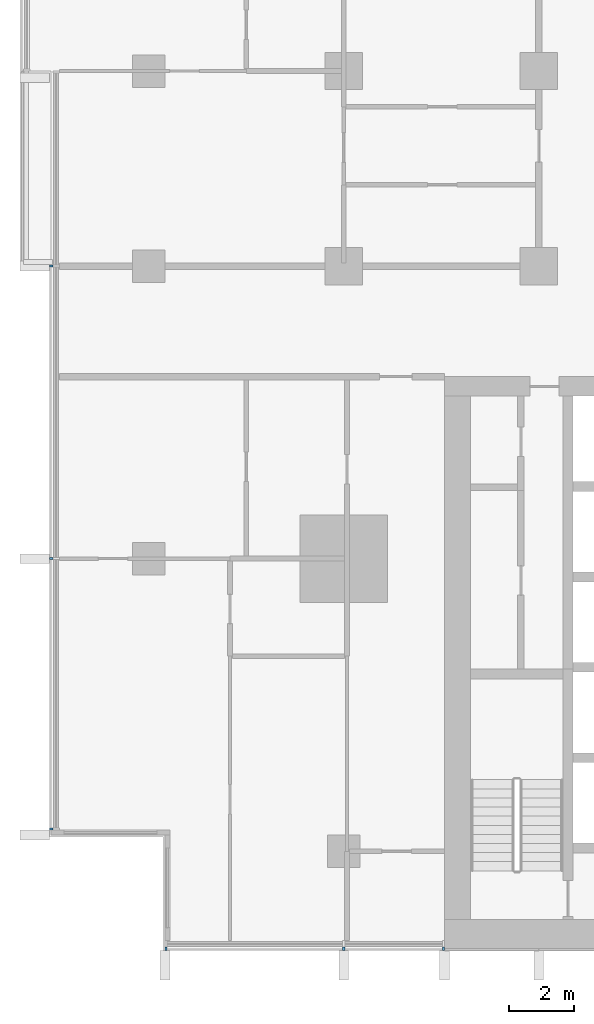
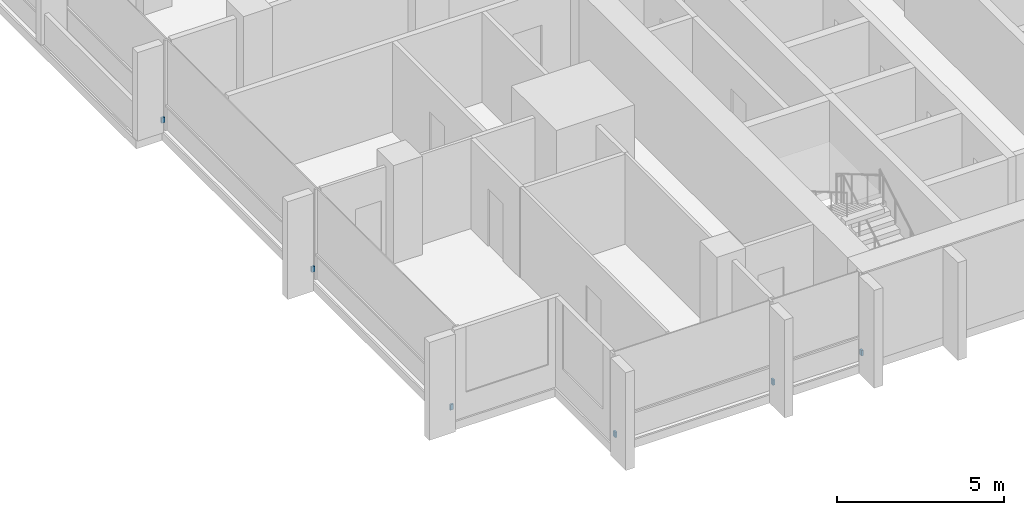
# One storey, part 14 of 18: 6 discrete accessories.
"""IFC4 building model written with IfcOpenShell, lengths in metres."""

import ifcopenshell
import ifcopenshell.guid

model = None  # the IFC model being written
_history = None  # IfcOwnerHistory: only IFC2X3 demands one
_inside = {}  # id of a spatial element -> (the spatial element, [elements in it])
_under = {}  # id of a project, library or spatial element -> (it, [spatial elements below it])
_declared = {}  # id of a project -> (the project, [libraries it declares])
_typed = {}  # id of a type object -> (the type object, [elements of that type])
_made_of = {}  # id of a material, layer set ... -> (it, [elements and type objects made of it])


def new_model(schema):
    """Start an empty IFC model of exactly this schema.

    Asked for "IFC4X3", IfcOpenShell would pick the latest addendum, in which some entities
    have other attributes; the version numbers below select the first issue.
    IFC2X3 requires an IfcOwnerHistory on every rooted entity: one is made here for all.
    """
    global model, _history
    if schema == "IFC4X3":
        model = ifcopenshell.file(schema_version=(4, 3, 0, 0))
    else:
        model = ifcopenshell.file(schema=schema)
    _inside.clear()
    _under.clear()
    _declared.clear()
    _typed.clear()
    _made_of.clear()
    _history = None
    if model.schema == "IFC2X3":
        org = make("IfcOrganization", Name="unknown")
        user = make(
            "IfcPersonAndOrganization",
            ThePerson=make("IfcPerson", FamilyName="unknown"),
            TheOrganization=org,
        )
        app = make(
            "IfcApplication",
            ApplicationDeveloper=org,
            Version="unknown",
            ApplicationFullName="unknown",
            ApplicationIdentifier="unknown",
        )
        _history = make(
            "IfcOwnerHistory",
            OwningUser=user,
            OwningApplication=app,
            ChangeAction="ADDED",
            CreationDate=0,
        )
    return model


def make(cls, **values):
    """One entity of the class cls with the attributes given. An attribute that is None is left unset."""
    return model.create_entity(
        cls, **{name: value for name, value in values.items() if value is not None}
    )


def rooted(cls, **values):
    """An entity with a GlobalId (a new one), such as an element, a storey or a relation."""
    return make(cls, GlobalId=ifcopenshell.guid.new(), OwnerHistory=_history, **values)


def si_unit(unit_type, name, prefix=None):
    """IfcSIUnit, for example si_unit("LENGTHUNIT", "METRE", prefix="MILLI")."""
    return make("IfcSIUnit", UnitType=unit_type, Prefix=prefix, Name=name)


def assignment(units):
    """IfcUnitAssignment: the units of a project."""
    return None if units is None else make("IfcUnitAssignment", Units=units)


def point(xyz):
    """IfcCartesianPoint."""
    return None if xyz is None else make("IfcCartesianPoint", Coordinates=xyz)


def direction(xyz):
    """IfcDirection."""
    return None if xyz is None else make("IfcDirection", DirectionRatios=xyz)


def frame(location, z_axis=None, x_axis=None):
    """IfcAxis2Placement3D, a coordinate frame: its origin and axes. An axis left out is left unset."""
    return make(
        "IfcAxis2Placement3D",
        Location=point(location),
        Axis=direction(z_axis),
        RefDirection=direction(x_axis),
    )


def frame_2d(location, x_axis=None):
    """IfcAxis2Placement2D, a coordinate frame in the plane: its origin and x axis."""
    return make(
        "IfcAxis2Placement2D", Location=point(location), RefDirection=direction(x_axis)
    )


def origin():
    """The frame at (0, 0, 0) with its axes left unset."""
    return frame((0.0, 0.0, 0.0))


def origin_2d():
    """The frame at (0, 0) in the plane with its x axis left unset."""
    return frame_2d((0.0, 0.0))


def place(relative_to, where):
    """IfcLocalPlacement: puts the frame where relative to a parent placement (None: the world)."""
    return make(
        "IfcLocalPlacement", PlacementRelTo=relative_to, RelativePlacement=where
    )


def context(
    kind, dimensions, precision=None, world=None, true_north=None, identifier=None
):
    """IfcGeometricRepresentationContext, for example the 3D "Model" context."""
    return make(
        "IfcGeometricRepresentationContext",
        ContextIdentifier=identifier,
        ContextType=kind,
        CoordinateSpaceDimension=dimensions,
        Precision=precision,
        WorldCoordinateSystem=world,
        TrueNorth=true_north,
    )


def subcontext(parent, identifier, kind, view, scale=None):
    """IfcGeometricRepresentationSubContext, for example "Body" below "Model"."""
    return make(
        "IfcGeometricRepresentationSubContext",
        ContextIdentifier=identifier,
        ContextType=kind,
        ParentContext=parent,
        TargetScale=scale,
        TargetView=view,
    )


def project(units=None, contexts=None):
    """IfcProject with its units and contexts."""
    return rooted(
        "IfcProject",
        Name="project",
        RepresentationContexts=contexts,
        UnitsInContext=assignment(units),
    )


def spatial(cls, under=None, at=None, **own):
    """A site, building, storey or space (cls), placed at a placement, below another one or the project."""
    s = rooted(cls, ObjectPlacement=at, **own)
    if under is not None:
        _under.setdefault(under.id(), (under, []))[1].append(s)
    return s


def profile(cls, at=None, kind="AREA", **sizes):
    """A parametric profile (cls). Its sizes go by their IFC names, for example OverallWidth=200.0."""
    return make(cls, ProfileType=kind, Position=at, **sizes)


def rectangle(**sizes):
    """IfcRectangleProfileDef."""
    return profile("IfcRectangleProfileDef", **sizes)


def extrude(swept, where, along, depth):
    """IfcExtrudedAreaSolid: the profile swept, set in the frame where, extruded along a direction by depth."""
    return make(
        "IfcExtrudedAreaSolid",
        SweptArea=swept,
        Position=where,
        ExtrudedDirection=direction(along),
        Depth=depth,
    )


def shape(context_of_items, identifier, shape_type, items):
    """IfcShapeRepresentation: the items that make up one representation, for example the "Body"."""
    return make(
        "IfcShapeRepresentation",
        ContextOfItems=context_of_items,
        RepresentationIdentifier=identifier,
        RepresentationType=shape_type,
        Items=items,
    )


def material(Name=None, Category=None):
    """IfcMaterial."""
    return make("IfcMaterial", Name=Name, Category=Category)


def made_of(thing, what):
    """Note that an element or type object is made of a material, layer set ...; save() writes the relation."""
    if what is not None:
        _made_of.setdefault(what.id(), (what, []))[1].append(thing)
    return thing


def type_object(cls, material=None, **own):
    """A type object (cls), such as IfcWallType, which elements share."""
    return made_of(rooted(cls, **own), material)


def element(
    cls,
    number,
    at=None,
    inside=None,
    cuts=None,
    type_object=None,
    material=None,
    context=None,
    identifier="Body",
    shape_type=None,
    held_by="IfcProductDefinitionShape",
    body=None,
    shapes=None,
    **own,
):
    """One element of the class cls, such as IfcWall. Its Tag is "e" and its number.

    at: its placement. inside: the storey or other place that contains it. cuts: it is an
    opening in that element (IfcRelVoidsElement). A single representation is given by context,
    identifier, shape_type and body (its items); several are given by shapes. held_by: the class
    of the entity that holds the representations. save() writes the other relations.
    """
    e = rooted(cls, Tag="e%d" % number, ObjectPlacement=at, **own)
    if body is not None:
        shapes = [shape(context, identifier, shape_type, body)]
    if shapes is not None:
        e.Representation = make(held_by, Representations=shapes)
    if inside is not None:
        _inside.setdefault(inside.id(), (inside, []))[1].append(e)
    if cuts is not None:
        rooted(
            "IfcRelVoidsElement", RelatingBuildingElement=cuts, RelatedOpeningElement=e
        )
    if type_object is not None:
        _typed.setdefault(type_object.id(), (type_object, []))[1].append(e)
    return made_of(e, material)


def aggregate(whole, parts):
    """IfcRelAggregates: a whole, such as a stair, and the parts it consists of."""
    return rooted("IfcRelAggregates", RelatingObject=whole, RelatedObjects=parts)


def save(model, path):
    """Write the relations noted so far, then the file.

    IfcRelAggregates (storeys below a building ...), IfcRelContainedInSpatialStructure (elements
    in a storey), IfcRelDefinesByType, IfcRelAssociatesMaterial and IfcRelDeclares: one each for
    every whole, place, type object, material and project.
    """
    for whole, parts in _under.values():
        aggregate(whole, parts)
    for where, things in _inside.values():
        rooted(
            "IfcRelContainedInSpatialStructure",
            RelatedElements=things,
            RelatingStructure=where,
        )
    for kind, things in _typed.values():
        rooted("IfcRelDefinesByType", RelatedObjects=things, RelatingType=kind)
    for what, things in _made_of.values():
        rooted("IfcRelAssociatesMaterial", RelatedObjects=things, RelatingMaterial=what)
    for by, libraries in _declared.values():
        rooted("IfcRelDeclares", RelatingContext=by, RelatedDefinitions=libraries)
    model.write(path)


model = new_model("IFC4")

# Units and contexts
model_context = context("Model", 3, precision=1e-05, world=origin(), true_north=direction((0.0, 1.0)))
body_context = subcontext(model_context, "Body", "Model", "MODEL_VIEW")
ifc_project = project(units=[si_unit("LENGTHUNIT", "METRE"), si_unit("AREAUNIT", "SQUARE_METRE"), si_unit("VOLUMEUNIT", "CUBIC_METRE"), si_unit("PLANEANGLEUNIT", "RADIAN"), si_unit("MASSUNIT", "GRAM", prefix="KILO")], contexts=[model_context])

# Site, building, storey
site_placement = place(None, origin())
site = spatial("IfcSite", under=ifc_project, at=site_placement, CompositionType="ELEMENT")
building_placement = place(site_placement, origin())
building = spatial("IfcBuilding", under=site, at=building_placement, Name="Finial Court Residences", CompositionType="ELEMENT")
storey_placement = place(building_placement, frame((0.0, 0.0, 109.89990234375)))
storey = spatial("IfcBuildingStorey", under=building, at=storey_placement, Name="L27", CompositionType="ELEMENT", Elevation=109.89990234375)

# Discrete accessories
ifc_material = material(Name="Stainless steel 316", Category="steel")
discrete_accessory_type = type_object("IfcDiscreteAccessoryType", Name="Fin bracket, stainless steel 65 x 110 x 200", PredefinedType="BRACKET", material=ifc_material)
for number, where, z_axis, x_axis, name in (
    (1, (-21.967529296875, -25.5048828125, 0.30029296875), (0.0, 0.0, 1.0), (1.0, 0.0, 0.0), "E-L27-FIN-S16-BRK"),
    (2, (-16.5, -25.5048828125, 0.30029296875), (0.0, 0.0, 1.0), (1.0, 0.0, 0.0), "E-L27-FIN-S17-BRK"),
    (3, (-13.4326171875, -25.5048828125, 0.30029296875), (0.0, 0.0, 1.0), (1.0, 0.0, 0.0), "E-L27-FIN-S18-BRK"),
):
    element("IfcDiscreteAccessory", number, at=place(storey_placement, frame(where, z_axis=z_axis, x_axis=x_axis)), inside=storey, type_object=discrete_accessory_type, Name=name, PredefinedType="BRACKET", context=body_context, shape_type="SweptSolid", body=[
        extrude(rectangle(XDim=0.06494140625, YDim=0.110107421875, at=origin_2d()), origin(), (0.0, 0.0, 1.0), 0.199951171875),
    ])
for number, where, z_axis, x_axis, name in (
    (4, (-25.5048828125, -21.8173828125, 0.30029296875), (0.0, 0.0, 1.0), (1.0, 0.0, 0.0), "E-L27-FIN-W26-BRK"),
    (5, (-25.5048828125, -13.5, 0.30029296875), (0.0, 0.0, 1.0), (1.0, 0.0, 0.0), "E-L27-FIN-W27-BRK"),
    (6, (-25.5048828125, -4.5, 0.30029296875), (0.0, 0.0, 1.0), (1.0, 0.0, 0.0), "E-L27-FIN-W28-BRK"),
):
    element("IfcDiscreteAccessory", number, at=place(storey_placement, frame(where, z_axis=z_axis, x_axis=x_axis)), inside=storey, type_object=discrete_accessory_type, Name=name, PredefinedType="BRACKET", context=body_context, shape_type="SweptSolid", body=[
        extrude(rectangle(XDim=0.110107421875, YDim=0.06494140625, at=origin_2d()), origin(), (0.0, 0.0, 1.0), 0.199951171875),
    ])

save(model, "model.ifc")
